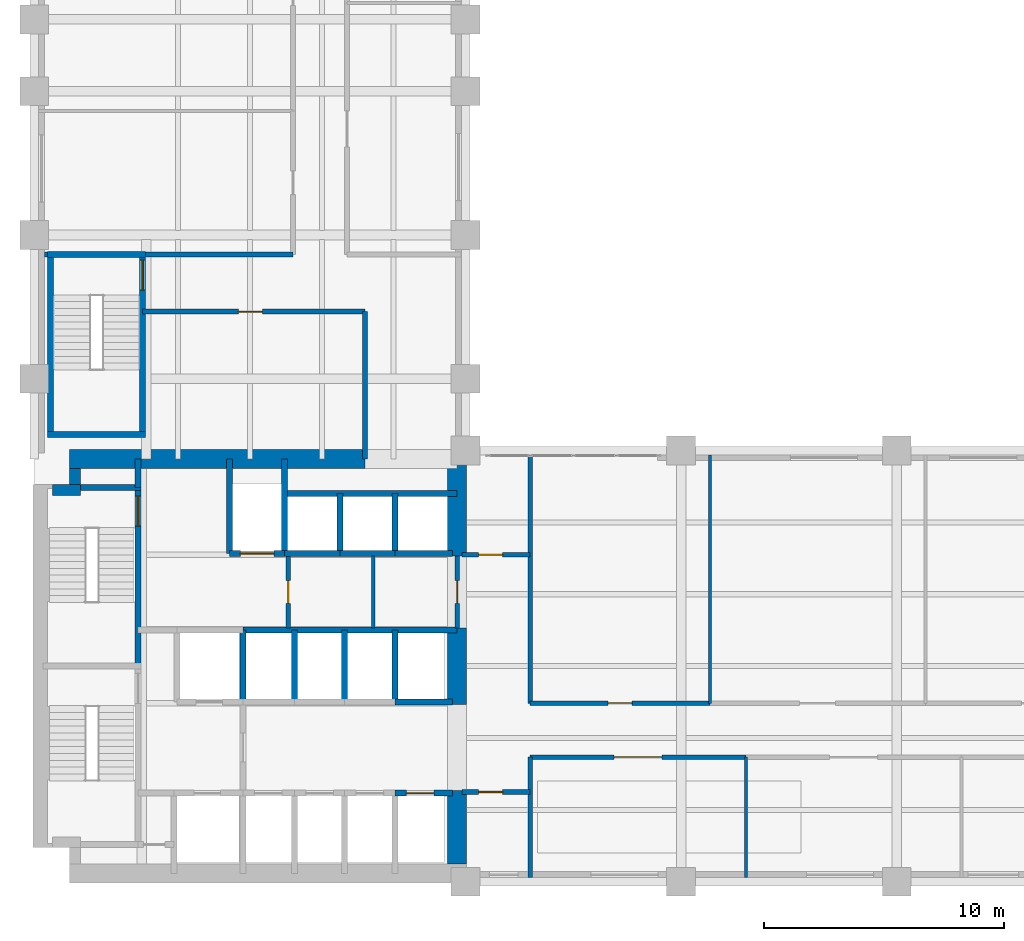
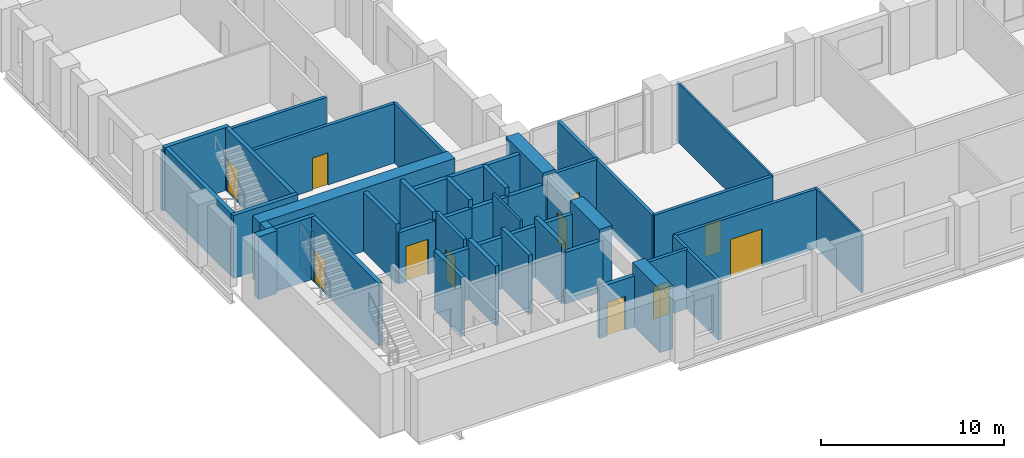
# One storey, part 5 of 8: 44 walls, 11 doors, 11 openings.
"""IFC4 building model written with IfcOpenShell, lengths in metres."""

from ifc_helpers import new_model, si_unit, direction, frame, frame_2d, origin, place, context, subcontext, project, spatial, rectangle, extrude, material, layer, layer_set, type_object, element, fill, save


model = new_model("IFC4")

# Units and contexts
model_context = context("Model", 3, precision=1e-05, world=origin(), true_north=direction((0.0, 1.0)))
body_context = subcontext(model_context, "Body", "Model", "MODEL_VIEW")
ifc_project = project(units=[si_unit("LENGTHUNIT", "METRE"), si_unit("AREAUNIT", "SQUARE_METRE"), si_unit("VOLUMEUNIT", "CUBIC_METRE"), si_unit("PLANEANGLEUNIT", "RADIAN"), si_unit("MASSUNIT", "GRAM", prefix="KILO")], contexts=[model_context])

# Site, building, storey
site_placement = place(None, origin())
site = spatial("IfcSite", under=ifc_project, at=site_placement, CompositionType="ELEMENT")
building_placement = place(site_placement, origin())
building = spatial("IfcBuilding", under=site, at=building_placement, Name="Mawjdan Bourse Tower", CompositionType="ELEMENT")
storey_placement = place(building_placement, frame((0.0, 0.0, 25.800048828125)))
storey = spatial("IfcBuildingStorey", under=building, at=storey_placement, Name="L05", CompositionType="ELEMENT", Elevation=25.800048828125)

# Wall, opening, door
ifc_material_1 = material(Name="Gypsum Fireboard Assembly")
ifc_layer_1 = layer(ifc_material_1, 0.199951171875)
ifc_layer_set_1 = layer_set([ifc_layer_1], Name="Gypsum Fireboard Assembly")
wall_type_1 = type_object("IfcWallType", Name="WL-CMP-200", PredefinedType="PARTITIONING", material=ifc_layer_set_1)
wall_1_placement = place(storey_placement, frame((16.60009765625, 13.60009765625, 0.0), z_axis=(0.0, 0.0, 1.0), x_axis=(0.0, 1.0, 0.0)))
wall_1 = element("IfcWall", 1, at=wall_1_placement, inside=storey, type_object=wall_type_1, Name="L05 Core Restroom West Wall", PredefinedType="PARTITIONING", context=body_context, shape_type="SweptSolid", body=[
    extrude(rectangle(XDim=3.0, YDim=0.199951171875, at=frame_2d((1.5, 0.0))), origin(), (0.0, 0.0, 1.0), 3.969970703125),
])
opening_1_placement = place(wall_1_placement, frame((1.02001953125, 0.0, 0.0)))
opening_1 = element("IfcOpeningElement", 2, at=opening_1_placement, cuts=wall_1, Name="Opening D-L05-14", PredefinedType="OPENING", context=body_context, shape_type="SweptSolid", body=[
    extrude(rectangle(XDim=0.949951171875, YDim=2.10009765625, at=frame_2d((0.47509765625, 1.050048828125))), frame((0.0, 0.10986328125, 0.0), z_axis=(0.0, -1.0, 0.0), x_axis=(1.0, 0.0, 0.0)), (0.0, 0.0, 1.0), 0.219970703125),
])
ifc_material_2 = material(Name="Moisture-Resistant Laminate Timber", Category="wood")
door_type_1 = type_object("IfcDoorType", Name="DR-WET-0950", OperationType="NOTDEFINED", PredefinedType="DOOR", material=ifc_material_2)
door_1_placement = place(opening_1_placement, origin())
door_1 = element("IfcDoor", 3, at=door_1_placement, inside=storey, type_object=door_type_1, Name="L05 Female Restroom Entry Door D-L05-14", OperationType="SINGLE_SWING_RIGHT", OverallHeight=2.10009765625, OverallWidth=0.949951171875, PredefinedType="DOOR", context=body_context, shape_type="SweptSolid", body=[
    extrude(rectangle(XDim=0.949951171875, YDim=2.10009765625, at=frame_2d((0.47509765625, 1.050048828125))), frame((0.0, 0.02490234375, 0.0), z_axis=(0.0, -1.0, 0.0), x_axis=(1.0, 0.0, 0.0)), (0.0, 0.0, 1.0), 0.050048828125),
])
fill(opening_1, door_1)

wall_2_placement = place(storey_placement, frame((23.64990234375, 13.60009765625, 0.0), z_axis=(0.0, 0.0, 1.0), x_axis=(0.0, 1.0, 0.0)))
wall_2 = element("IfcWall", 4, at=wall_2_placement, inside=storey, type_object=wall_type_1, Name="L05 Core Restroom East Enclosing Wall", PredefinedType="PARTITIONING", context=body_context, shape_type="SweptSolid", body=[
    extrude(rectangle(XDim=3.0, YDim=0.199951171875, at=frame_2d((1.5, 0.0))), origin(), (0.0, 0.0, 1.0), 3.969970703125),
])
opening_2_placement = place(wall_2_placement, frame((1.02001953125, 0.0, 0.0)))
opening_2 = element("IfcOpeningElement", 5, at=opening_2_placement, cuts=wall_2, Name="Opening D-L05-15", PredefinedType="OPENING", context=body_context, shape_type="SweptSolid", body=[
    extrude(rectangle(XDim=0.949951171875, YDim=2.10009765625, at=frame_2d((0.47509765625, 1.050048828125))), frame((0.0, 0.10986328125, 0.0), z_axis=(0.0, -1.0, 0.0), x_axis=(1.0, 0.0, 0.0)), (0.0, 0.0, 1.0), 0.219970703125),
])
door_2_placement = place(opening_2_placement, origin())
door_2 = element("IfcDoor", 6, at=door_2_placement, inside=storey, type_object=door_type_1, Name="L05 Accessible WC East Entry Door D-L05-15", OperationType="SINGLE_SWING_LEFT", OverallHeight=2.10009765625, OverallWidth=0.949951171875, PredefinedType="DOOR", context=body_context, shape_type="SweptSolid", body=[
    extrude(rectangle(XDim=0.949951171875, YDim=2.10009765625, at=frame_2d((0.47509765625, 1.050048828125))), frame((0.0, 0.02490234375, 0.0), z_axis=(0.0, -1.0, 0.0), x_axis=(1.0, 0.0, 0.0)), (0.0, 0.0, 1.0), 0.050048828125),
])
fill(opening_2, door_2)

wall_3_placement = place(storey_placement, frame((23.85009765625, 6.75, 0.0), z_axis=(0.0, 0.0, 1.0), x_axis=(1.0, 0.0, 0.0)))
wall_3 = element("IfcWall", 7, at=wall_3_placement, inside=storey, type_object=wall_type_1, Name="L05 West Pocket North Wall", PredefinedType="PARTITIONING", context=body_context, shape_type="SweptSolid", body=[
    extrude(rectangle(XDim=2.849853515625, YDim=0.199951171875, at=frame_2d((1.4248046875, 0.0))), origin(), (0.0, 0.0, 1.0), 3.969970703125),
])
opening_3_placement = place(wall_3_placement, frame((0.699951171875, 0.0, 0.0)))
opening_3 = element("IfcOpeningElement", 8, at=opening_3_placement, cuts=wall_3, Name="Opening D-L05-17", PredefinedType="OPENING", context=body_context, shape_type="SweptSolid", body=[
    extrude(rectangle(XDim=1.0, YDim=2.14990234375, at=frame_2d((0.5, 1.074951171875))), frame((0.0, 0.10986328125, 0.0), z_axis=(0.0, -1.0, 0.0), x_axis=(1.0, 0.0, 0.0)), (0.0, 0.0, 1.0), 0.219970703125),
])
ifc_material_3 = material(Name="Hardwood Acoustic Leaf", Category="wood")
door_type_2 = type_object("IfcDoorType", Name="DR-OFC-1000", OperationType="NOTDEFINED", PredefinedType="DOOR", material=ifc_material_3)
door_3_placement = place(opening_3_placement, origin())
door_3 = element("IfcDoor", 9, at=door_3_placement, inside=storey, type_object=door_type_2, Name="L05 West Pocket Office Door D-L05-17", OperationType="SINGLE_SWING_LEFT", OverallHeight=2.14990234375, OverallWidth=1.0, PredefinedType="DOOR", context=body_context, shape_type="SweptSolid", body=[
    extrude(rectangle(XDim=1.0, YDim=2.14990234375, at=frame_2d((0.5, 1.074951171875))), frame((0.0, 0.02490234375, 0.0), z_axis=(0.0, -1.0, 0.0), x_axis=(1.0, 0.0, 0.0)), (0.0, 0.0, 1.0), 0.050048828125),
])
fill(opening_3, door_3)

wall_4_placement = place(storey_placement, frame((23.85009765625, 16.64990234375, 0.0), z_axis=(0.0, 0.0, 1.0), x_axis=(1.0, 0.0, 0.0)))
wall_4 = element("IfcWall", 10, at=wall_4_placement, inside=storey, type_object=wall_type_1, Name="L05 West North Pocket Wall", PredefinedType="PARTITIONING", context=body_context, shape_type="SweptSolid", body=[
    extrude(rectangle(XDim=2.849853515625, YDim=0.199951171875, at=frame_2d((1.4248046875, 0.0))), origin(), (0.0, 0.0, 1.0), 3.969970703125),
])
opening_4_placement = place(wall_4_placement, frame((0.699951171875, 0.0, 0.0)))
opening_4 = element("IfcOpeningElement", 11, at=opening_4_placement, cuts=wall_4, Name="Opening D-L05-18", PredefinedType="OPENING", context=body_context, shape_type="SweptSolid", body=[
    extrude(rectangle(XDim=1.0, YDim=2.14990234375, at=frame_2d((0.5, 1.074951171875))), frame((0.0, 0.10986328125, 0.0), z_axis=(0.0, -1.0, 0.0), x_axis=(1.0, 0.0, 0.0)), (0.0, 0.0, 1.0), 0.219970703125),
])
door_4_placement = place(opening_4_placement, origin())
door_4 = element("IfcDoor", 12, at=door_4_placement, inside=storey, type_object=door_type_2, Name="L05 West North Pocket Door D-L05-18", OperationType="SINGLE_SWING_RIGHT", OverallHeight=2.14990234375, OverallWidth=1.0, PredefinedType="DOOR", context=body_context, shape_type="SweptSolid", body=[
    extrude(rectangle(XDim=1.0, YDim=2.14990234375, at=frame_2d((0.5, 1.074951171875))), frame((0.0, 0.02490234375, 0.0), z_axis=(0.0, -1.0, 0.0), x_axis=(1.0, 0.0, 0.0)), (0.0, 0.0, 1.0), 0.050048828125),
])
fill(opening_4, door_4)

# Walls
wall_5_placement = place(storey_placement, frame((26.699951171875, 3.179931640625, 0.0), z_axis=(0.0, 0.0, 1.0), x_axis=(0.0, 1.0, 0.0)))
element("IfcWall", 13, at=wall_5_placement, inside=storey, type_object=wall_type_1, Name="L05 Vestibule South East Wall", PredefinedType="PARTITIONING", context=body_context, shape_type="SweptSolid", body=[
    extrude(rectangle(XDim=5.02001953125, YDim=0.199951171875, at=frame_2d((2.510009765625, 0.0))), origin(), (0.0, 0.0, 1.0), 3.969970703125),
])
wall_6_placement = place(storey_placement, frame((26.699951171875, 10.449951171875, 0.0), z_axis=(0.0, 0.0, 1.0), x_axis=(0.0, 1.0, 0.0)))
element("IfcWall", 14, at=wall_6_placement, inside=storey, type_object=wall_type_1, Name="L05 Vestibule North East Wall", PredefinedType="PARTITIONING", context=body_context, shape_type="SweptSolid", body=[
    extrude(rectangle(XDim=10.3701171875, YDim=0.199951171875, at=frame_2d((5.18505859375, 0.0))), origin(), (0.0, 0.0, 1.0), 3.969970703125),
])

# Wall, opening, door
wall_7_placement = place(storey_placement, frame((26.699951171875, 8.199951171875, 0.0), z_axis=(0.0, 0.0, 1.0), x_axis=(1.0, 0.0, 0.0)))
wall_7 = element("IfcWall", 15, at=wall_7_placement, inside=storey, type_object=wall_type_1, Name="L05 Trading Floor Corridor Wall", PredefinedType="PARTITIONING", context=body_context, shape_type="SweptSolid", body=[
    extrude(rectangle(XDim=9.0, YDim=0.199951171875, at=frame_2d((4.5, 0.0))), origin(), (0.0, 0.0, 1.0), 3.969970703125),
])
opening_5_placement = place(wall_7_placement, frame((3.5, 0.0, 0.0)))
opening_5 = element("IfcOpeningElement", 16, at=opening_5_placement, cuts=wall_7, Name="Opening D-L05-19", PredefinedType="OPENING", context=body_context, shape_type="SweptSolid", body=[
    extrude(rectangle(XDim=2.0, YDim=2.5, at=frame_2d((1.0, 1.25))), frame((0.0, 0.10986328125, 0.0), z_axis=(0.0, -1.0, 0.0), x_axis=(1.0, 0.0, 0.0)), (0.0, 0.0, 1.0), 0.219970703125),
])
ifc_material_4 = material(Name="Acoustic Veneered Timber", Category="wood")
door_type_3 = type_object("IfcDoorType", Name="DR-ASM-2000", OperationType="DOUBLE_DOOR_SINGLE_SWING", PredefinedType="DOOR", material=ifc_material_4)
door_5_placement = place(opening_5_placement, origin())
door_5 = element("IfcDoor", 17, at=door_5_placement, inside=storey, type_object=door_type_3, Name="L05 Trading Floor Door D-L05-19", OperationType="DOUBLE_DOOR_SINGLE_SWING", OverallHeight=2.5, OverallWidth=2.0, PredefinedType="DOOR", context=body_context, shape_type="SweptSolid", body=[
    extrude(rectangle(XDim=2.0, YDim=2.5, at=frame_2d((1.0, 1.25))), frame((0.0, 0.02490234375, 0.0), z_axis=(0.0, -1.0, 0.0), x_axis=(1.0, 0.0, 0.0)), (0.0, 0.0, 1.0), 0.050048828125),
])
fill(opening_5, door_5)

wall_8_placement = place(storey_placement, frame((26.699951171875, 10.449951171875, 0.0), z_axis=(0.0, 0.0, 1.0), x_axis=(1.0, 0.0, 0.0)))
wall_8 = element("IfcWall", 18, at=wall_8_placement, inside=storey, type_object=wall_type_1, Name="L05 Executive Office Corridor Wall", PredefinedType="PARTITIONING", context=body_context, shape_type="SweptSolid", body=[
    extrude(rectangle(XDim=7.5, YDim=0.199951171875, at=frame_2d((3.75, 0.0))), origin(), (0.0, 0.0, 1.0), 3.969970703125),
])
opening_6_placement = place(wall_8_placement, frame((3.25, 0.0, 0.0)))
opening_6 = element("IfcOpeningElement", 19, at=opening_6_placement, cuts=wall_8, Name="Opening D-L05-22", PredefinedType="OPENING", context=body_context, shape_type="SweptSolid", body=[
    extrude(rectangle(XDim=1.0, YDim=2.14990234375, at=frame_2d((0.5, 1.074951171875))), frame((0.0, 0.10986328125, 0.0), z_axis=(0.0, -1.0, 0.0), x_axis=(1.0, 0.0, 0.0)), (0.0, 0.0, 1.0), 0.219970703125),
])
door_6_placement = place(opening_6_placement, origin())
door_6 = element("IfcDoor", 20, at=door_6_placement, inside=storey, type_object=door_type_2, Name="L05 Executive Office Door D-L05-22", OperationType="SINGLE_SWING_RIGHT", OverallHeight=2.14990234375, OverallWidth=1.0, PredefinedType="DOOR", context=body_context, shape_type="SweptSolid", body=[
    extrude(rectangle(XDim=1.0, YDim=2.14990234375, at=frame_2d((0.5, 1.074951171875))), frame((0.0, 0.02490234375, 0.0), z_axis=(0.0, -1.0, 0.0), x_axis=(1.0, 0.0, 0.0)), (0.0, 0.0, 1.0), 0.050048828125),
])
fill(opening_6, door_6)

wall_9_placement = place(storey_placement, frame((10.52001953125, 26.800048828125, 0.0), z_axis=(0.0, 0.0, 1.0), x_axis=(1.0, 0.0, 0.0)))
wall_9 = element("IfcWall", 21, at=wall_9_placement, inside=storey, type_object=wall_type_1, Name="L05 North Throat North Wall", PredefinedType="PARTITIONING", context=body_context, shape_type="SweptSolid", body=[
    extrude(rectangle(XDim=9.280029296875, YDim=0.199951171875, at=frame_2d((4.64013671875, 0.0))), origin(), (0.0, 0.0, 1.0), 3.969970703125),
])
opening_7_placement = place(wall_9_placement, frame((4.0, 0.0, 0.0)))
opening_7 = element("IfcOpeningElement", 22, at=opening_7_placement, cuts=wall_9, Name="Opening D-L05-27", PredefinedType="OPENING", context=body_context, shape_type="SweptSolid", body=[
    extrude(rectangle(XDim=1.0, YDim=2.14990234375, at=frame_2d((0.5, 1.074951171875))), frame((0.0, 0.10986328125, 0.0), z_axis=(0.0, -1.0, 0.0), x_axis=(1.0, 0.0, 0.0)), (0.0, 0.0, 1.0), 0.219970703125),
])
door_7_placement = place(opening_7_placement, origin())
door_7 = element("IfcDoor", 23, at=door_7_placement, inside=storey, type_object=door_type_2, Name="L05 North Throat Suite Door D-L05-27", OperationType="SINGLE_SWING_RIGHT", OverallHeight=2.14990234375, OverallWidth=1.0, PredefinedType="DOOR", context=body_context, shape_type="SweptSolid", body=[
    extrude(rectangle(XDim=1.0, YDim=2.14990234375, at=frame_2d((0.5, 1.074951171875))), frame((0.0, 0.02490234375, 0.0), z_axis=(0.0, -1.0, 0.0), x_axis=(1.0, 0.0, 0.0)), (0.0, 0.0, 1.0), 0.050048828125),
])
fill(opening_7, door_7)

# Walls
wall_10_placement = place(storey_placement, frame((19.800048828125, 20.64990234375, 0.0), z_axis=(0.0, 0.0, 1.0), x_axis=(0.0, 1.0, 0.0)))
element("IfcWall", 24, at=wall_10_placement, inside=storey, type_object=wall_type_1, Name="L05 North Throat East Wall", PredefinedType="PARTITIONING", context=body_context, shape_type="SweptSolid", body=[
    extrude(rectangle(XDim=6.150146484375, YDim=0.199951171875, at=frame_2d((3.0751953125, 0.0))), origin(), (0.0, 0.0, 1.0), 3.969970703125),
])
wall_11_placement = place(storey_placement, frame((6.419921875, 29.179931640625, 0.0), z_axis=(0.0, 0.0, 1.0), x_axis=(1.0, 0.0, 0.0)))
element("IfcWall", 25, at=wall_11_placement, inside=storey, type_object=wall_type_1, Name="L05 North West Band ST3 West Return", PredefinedType="PARTITIONING", context=body_context, shape_type="SweptSolid", body=[
    extrude(rectangle(XDim=0.135009765625, YDim=0.199951171875, at=frame_2d((0.0673828125, 0.0))), origin(), (0.0, 0.0, 1.0), 3.969970703125),
])
wall_12_placement = place(storey_placement, frame((10.6298828125, 29.179931640625, 0.0), z_axis=(0.0, 0.0, 1.0), x_axis=(1.0, 0.0, 0.0)))
element("IfcWall", 26, at=wall_12_placement, inside=storey, type_object=wall_type_1, Name="L05 North West Band South Wall", PredefinedType="PARTITIONING", context=body_context, shape_type="SweptSolid", body=[
    extrude(rectangle(XDim=6.170166015625, YDim=0.199951171875, at=frame_2d((3.0849609375, 0.0))), origin(), (0.0, 0.0, 1.0), 3.969970703125),
])
ifc_material_5 = material(Name="Concrete C60/75", Category="concrete")
ifc_layer_2 = layer(ifc_material_5, 0.449951171875)
ifc_layer_set_2 = layer_set([ifc_layer_2], Name="Concrete C60/75")
wall_type_2 = type_object("IfcWallType", Name="WL-CORE-450", PredefinedType="SHEAR", material=ifc_layer_set_2)
wall_13_placement = place(storey_placement, frame((6.75, 19.35009765625, 0.0), z_axis=(0.0, 0.0, 1.0), x_axis=(1.0, 0.0, 0.0)))
element("IfcWall", 27, at=wall_13_placement, inside=storey, type_object=wall_type_2, Name="L05 Rear Core Shear Wall NW-X", PredefinedType="SHEAR", context=body_context, shape_type="SweptSolid", body=[
    extrude(rectangle(XDim=1.175048828125, YDim=0.449951171875, at=frame_2d((0.58740234375, 0.0))), origin(), (0.0, 0.0, 1.0), 4.199951171875),
])
wall_14_placement = place(storey_placement, frame((7.699951171875, 19.574951171875, 0.0), z_axis=(0.0, 0.0, 1.0), x_axis=(0.0, 1.0, 0.0)))
element("IfcWall", 28, at=wall_14_placement, inside=storey, type_object=wall_type_2, Name="L05 Rear Core Shear Wall NW-Y", PredefinedType="SHEAR", context=body_context, shape_type="SweptSolid", body=[
    extrude(rectangle(XDim=0.675048828125, YDim=0.449951171875, at=frame_2d((0.33740234375, 0.0))), origin(), (0.0, 0.0, 1.0), 4.199951171875),
])
ifc_material_6 = material(Name="Concrete C80/95", Category="concrete")
ifc_layer_3 = layer(ifc_material_6, 0.800048828125)
ifc_layer_set_3 = layer_set([ifc_layer_3], Name="Concrete C80/95")
wall_type_3 = type_object("IfcWallType", Name="WL-CORE-800", PredefinedType="SHEAR", material=ifc_layer_set_3)
wall_15_placement = place(storey_placement, frame((7.47509765625, 20.64990234375, 0.0), z_axis=(0.0, 0.0, 1.0), x_axis=(1.0, 0.0, 0.0)))
element("IfcWall", 29, at=wall_15_placement, inside=storey, type_object=wall_type_3, Name="L05 Rear Core Shear Wall N", PredefinedType="SHEAR", context=body_context, shape_type="SweptSolid", body=[
    extrude(rectangle(XDim=12.324951171875, YDim=0.800048828125, at=frame_2d((6.16259765625, 0.0))), origin(), (0.0, 0.0, 1.0), 4.199951171875),
])
wall_16_placement = place(storey_placement, frame((23.64990234375, 3.75, 0.0), z_axis=(0.0, 0.0, 1.0), x_axis=(0.0, 1.0, 0.0)))
element("IfcWall", 30, at=wall_16_placement, inside=storey, type_object=wall_type_3, Name="L05 Rear Core Shear Wall E1", PredefinedType="SHEAR", context=body_context, shape_type="SweptSolid", body=[
    extrude(rectangle(XDim=3.050048828125, YDim=0.800048828125, at=frame_2d((1.52490234375, 0.0))), origin(), (0.0, 0.0, 1.0), 4.199951171875),
])
wall_17_placement = place(storey_placement, frame((23.64990234375, 10.39990234375, 0.0), z_axis=(0.0, 0.0, 1.0), x_axis=(0.0, 1.0, 0.0)))
element("IfcWall", 31, at=wall_17_placement, inside=storey, type_object=wall_type_3, Name="L05 Rear Core Shear Wall E2", PredefinedType="SHEAR", context=body_context, shape_type="SweptSolid", body=[
    extrude(rectangle(XDim=3.2001953125, YDim=0.800048828125, at=frame_2d((1.60009765625, 0.0))), origin(), (0.0, 0.0, 1.0), 4.199951171875),
])
wall_18_placement = place(storey_placement, frame((23.64990234375, 16.60009765625, 0.0), z_axis=(0.0, 0.0, 1.0), x_axis=(0.0, 1.0, 0.0)))
element("IfcWall", 32, at=wall_18_placement, inside=storey, type_object=wall_type_3, Name="L05 Rear Core Shear Wall E3", PredefinedType="SHEAR", context=body_context, shape_type="SweptSolid", body=[
    extrude(rectangle(XDim=4.0498046875, YDim=0.800048828125, at=frame_2d((2.02490234375, 0.0))), origin(), (0.0, 0.0, 1.0), 4.199951171875),
])
ifc_material_7 = material(Name="Gypsum Partition")
ifc_layer_4 = layer(ifc_material_7, 0.125)
ifc_layer_set_4 = layer_set([ifc_layer_4], Name="Gypsum Partition")
wall_type_4 = type_object("IfcWallType", Name="WL-PRT-125", PredefinedType="PARTITIONING", material=ifc_layer_set_4)
wall_19_placement = place(storey_placement, frame((35.699951171875, 3.179931640625, 0.0), z_axis=(0.0, 0.0, 1.0), x_axis=(0.0, 1.0, 0.0)))
element("IfcWall", 33, at=wall_19_placement, inside=storey, type_object=wall_type_4, Name="L05 Derivatives Dealing Hall Partition", PredefinedType="PARTITIONING", context=body_context, shape_type="SweptSolid", body=[
    extrude(rectangle(XDim=5.02001953125, YDim=0.125, at=frame_2d((2.510009765625, 0.0))), origin(), (0.0, 0.0, 1.0), 3.969970703125),
])
wall_20_placement = place(storey_placement, frame((34.199951171875, 10.449951171875, 0.0), z_axis=(0.0, 0.0, 1.0), x_axis=(0.0, 1.0, 0.0)))
element("IfcWall", 34, at=wall_20_placement, inside=storey, type_object=wall_type_4, Name="L05 Conference Room Partition", PredefinedType="PARTITIONING", context=body_context, shape_type="SweptSolid", body=[
    extrude(rectangle(XDim=10.3701171875, YDim=0.125, at=frame_2d((5.18505859375, 0.0))), origin(), (0.0, 0.0, 1.0), 3.969970703125),
])
ifc_material_8 = material(Name="Gypsum Acoustic Partition")
ifc_layer_5 = layer(ifc_material_8, 0.14990234375)
ifc_layer_set_5 = layer_set([ifc_layer_5], Name="Gypsum Acoustic Partition")
wall_type_5 = type_object("IfcWallType", Name="WL-PRT-150", PredefinedType="PARTITIONING", material=ifc_layer_set_5)
wall_21_placement = place(storey_placement, frame((20.14990234375, 13.60009765625, 0.0), z_axis=(0.0, 0.0, 1.0), x_axis=(0.0, 1.0, 0.0)))
element("IfcWall", 35, at=wall_21_placement, inside=storey, type_object=wall_type_5, Name="L05 Core Restroom Vertical Split", PredefinedType="PARTITIONING", context=body_context, shape_type="SweptSolid", body=[
    extrude(rectangle(XDim=3.0, YDim=0.14990234375, at=frame_2d((1.5, 0.0))), origin(), (0.0, 0.0, 1.0), 3.969970703125),
])
ifc_material_9 = material(Name="Concrete C50/60", Category="concrete")
ifc_layer_6 = layer(ifc_material_9, 0.25)
ifc_layer_set_6 = layer_set([ifc_layer_6], Name="Concrete C50/60")
wall_type_6 = type_object("IfcWallType", Name="WL-SHFT-250", PredefinedType="PARTITIONING", material=ifc_layer_set_6)
wall_22_placement = place(storey_placement, frame((10.330078125, 19.449951171875, 0.0), z_axis=(0.0, 0.0, 1.0), x_axis=(0.0, 1.0, 0.0)))
element("IfcWall", 36, at=wall_22_placement, inside=storey, type_object=wall_type_6, Name="L05 NW Riser East Wall", PredefinedType="PARTITIONING", context=body_context, shape_type="SweptSolid", body=[
    extrude(rectangle(XDim=1.199951171875, YDim=0.25, at=frame_2d((0.60009765625, 0.0))), origin(), (0.0, 0.0, 1.0), 3.114013671875),
])
wall_23_placement = place(storey_placement, frame((14.699951171875, 10.5, 0.0), z_axis=(0.0, 0.0, 1.0), x_axis=(0.0, 1.0, 0.0)))
element("IfcWall", 37, at=wall_23_placement, inside=storey, type_object=wall_type_6, Name="L05 FFL-02 East Shaft Wall", PredefinedType="PARTITIONING", context=body_context, shape_type="SweptSolid", body=[
    extrude(rectangle(XDim=3.0, YDim=0.25, at=frame_2d((1.5, 0.0))), origin(), (0.0, 0.0, 1.0), 3.969970703125),
])

# Wall, opening, door
wall_24_placement = place(storey_placement, frame((14.14990234375, 16.699951171875, 0.0), z_axis=(0.0, 0.0, 1.0), x_axis=(1.0, 0.0, 0.0)))
wall_24 = element("IfcWall", 38, at=wall_24_placement, inside=storey, type_object=wall_type_6, Name="L05 SVL-01 Front Shaft Wall", PredefinedType="PARTITIONING", context=body_context, shape_type="SweptSolid", body=[
    extrude(rectangle(XDim=2.300048828125, YDim=0.25, at=frame_2d((1.14990234375, 0.0))), origin(), (0.0, 0.0, 1.0), 3.426025390625),
])
opening_8_placement = place(wall_24_placement, frame((0.449951171875, 0.0, 0.0)))
opening_8 = element("IfcOpeningElement", 39, at=opening_8_placement, cuts=wall_24, Name="Opening LD-L05-09", PredefinedType="OPENING", context=body_context, shape_type="SweptSolid", body=[
    extrude(rectangle(XDim=1.39990234375, YDim=2.35009765625, at=frame_2d((0.699951171875, 1.175048828125))), frame((0.0, 0.135009765625, 0.0), z_axis=(0.0, -1.0, 0.0), x_axis=(1.0, 0.0, 0.0)), (0.0, 0.0, 1.0), 0.27001953125),
])
ifc_material_10 = material(Name="Heavy-Duty Stainless Steel", Category="steel")
door_type_4 = type_object("IfcDoorType", Name="LD-SRV-1400", OperationType="DOUBLE_DOOR_SLIDING", PredefinedType="DOOR", material=ifc_material_10)
door_8_placement = place(opening_8_placement, origin())
door_8 = element("IfcDoor", 40, at=door_8_placement, inside=storey, type_object=door_type_4, Name="L05 Service Lift SVL-01 Landing Door LD-L05-09", OperationType="DOUBLE_DOOR_SLIDING", OverallHeight=2.35009765625, OverallWidth=1.39990234375, PredefinedType="DOOR", context=body_context, shape_type="SweptSolid", body=[
    extrude(rectangle(XDim=1.39990234375, YDim=2.35009765625, at=frame_2d((0.699951171875, 1.175048828125))), frame((0.0, 0.02490234375, 0.0), z_axis=(0.0, -1.0, 0.0), x_axis=(1.0, 0.0, 0.0)), (0.0, 0.0, 1.0), 0.050048828125),
])
fill(opening_8, door_8)

# Walls
for number, where, z_axis, x_axis, name in (
    (41, (14.14990234375, 16.699951171875, 0.0), (0.0, 0.0, 1.0), (0.0, 1.0, 0.0), "L05 SVL-01 West Shaft Wall"),
    (42, (16.449951171875, 16.699951171875, 0.0), (0.0, 0.0, 1.0), (0.0, 1.0, 0.0), "L05 SVL-01 East Shaft Wall"),
):
    element("IfcWall", number, at=place(storey_placement, frame(where, z_axis=z_axis, x_axis=x_axis)), inside=storey, type_object=wall_type_6, Name=name, PredefinedType="PARTITIONING", context=body_context, shape_type="SweptSolid", body=[
        extrude(rectangle(XDim=3.949951171875, YDim=0.25, at=frame_2d((1.97509765625, 0.0))), origin(), (0.0, 0.0, 1.0), 3.969970703125),
    ])
wall_25_placement = place(storey_placement, frame((16.449951171875, 16.699951171875, 0.0), z_axis=(0.0, 0.0, 1.0), x_axis=(1.0, 0.0, 0.0)))
element("IfcWall", 43, at=wall_25_placement, inside=storey, type_object=wall_type_6, Name="L05 PH-01 Front Wall", PredefinedType="PARTITIONING", context=body_context, shape_type="SweptSolid", body=[
    extrude(rectangle(XDim=2.300048828125, YDim=0.25, at=frame_2d((1.14990234375, 0.0))), origin(), (0.0, 0.0, 1.0), 3.426025390625),
])
wall_26_placement = place(storey_placement, frame((18.75, 16.699951171875, 0.0), z_axis=(0.0, 0.0, 1.0), x_axis=(0.0, 1.0, 0.0)))
element("IfcWall", 44, at=wall_26_placement, inside=storey, type_object=wall_type_6, Name="L05 PH-01 Divider Wall", PredefinedType="PARTITIONING", context=body_context, shape_type="SweptSolid", body=[
    extrude(rectangle(XDim=2.5, YDim=0.25, at=frame_2d((1.25, 0.0))), origin(), (0.0, 0.0, 1.0), 3.969970703125),
])
wall_27_placement = place(storey_placement, frame((18.75, 16.699951171875, 0.0), z_axis=(0.0, 0.0, 1.0), x_axis=(1.0, 0.0, 0.0)))
element("IfcWall", 45, at=wall_27_placement, inside=storey, type_object=wall_type_6, Name="L05 PH-02 Front Wall", PredefinedType="PARTITIONING", context=body_context, shape_type="SweptSolid", body=[
    extrude(rectangle(XDim=2.300048828125, YDim=0.25, at=frame_2d((1.14990234375, 0.0))), origin(), (0.0, 0.0, 1.0), 3.426025390625),
])
wall_28_placement = place(storey_placement, frame((21.050048828125, 16.699951171875, 0.0), z_axis=(0.0, 0.0, 1.0), x_axis=(0.0, 1.0, 0.0)))
element("IfcWall", 46, at=wall_28_placement, inside=storey, type_object=wall_type_6, Name="L05 PH-02 Divider Wall", PredefinedType="PARTITIONING", context=body_context, shape_type="SweptSolid", body=[
    extrude(rectangle(XDim=2.5, YDim=0.25, at=frame_2d((1.25, 0.0))), origin(), (0.0, 0.0, 1.0), 3.969970703125),
])
wall_29_placement = place(storey_placement, frame((21.050048828125, 16.699951171875, 0.0), z_axis=(0.0, 0.0, 1.0), x_axis=(1.0, 0.0, 0.0)))
element("IfcWall", 47, at=wall_29_placement, inside=storey, type_object=wall_type_6, Name="L05 PH-03 Front Wall", PredefinedType="PARTITIONING", context=body_context, shape_type="SweptSolid", body=[
    extrude(rectangle(XDim=2.39990234375, YDim=0.25, at=frame_2d((1.199951171875, 0.0))), origin(), (0.0, 0.0, 1.0), 3.426025390625),
])
wall_30_placement = place(storey_placement, frame((16.449951171875, 19.199951171875, 0.0), z_axis=(0.0, 0.0, 1.0), x_axis=(1.0, 0.0, 0.0)))
element("IfcWall", 48, at=wall_30_placement, inside=storey, type_object=wall_type_6, Name="L05 PH Bank North Shaft Back Wall", PredefinedType="PARTITIONING", context=body_context, shape_type="SweptSolid", body=[
    extrude(rectangle(XDim=7.199951171875, YDim=0.25, at=frame_2d((3.60009765625, 0.0))), origin(), (0.0, 0.0, 1.0), 3.969970703125),
])

# Wall, opening, door
wall_31_placement = place(storey_placement, frame((21.050048828125, 6.699951171875, 0.0), z_axis=(0.0, 0.0, 1.0), x_axis=(1.0, 0.0, 0.0)))
wall_31 = element("IfcWall", 49, at=wall_31_placement, inside=storey, type_object=wall_type_6, Name="L05 PL-03 Front Wall", PredefinedType="PARTITIONING", context=body_context, shape_type="SweptSolid", body=[
    extrude(rectangle(XDim=2.39990234375, YDim=0.25, at=frame_2d((1.199951171875, 0.0))), origin(), (0.0, 0.0, 1.0), 3.426025390625),
])
opening_9_placement = place(wall_31_placement, frame((0.47998046875, 0.0, 0.0)))
opening_9 = element("IfcOpeningElement", 50, at=opening_9_placement, cuts=wall_31, Name="Opening LD-L05-13", PredefinedType="OPENING", context=body_context, shape_type="SweptSolid", body=[
    extrude(rectangle(XDim=1.14990234375, YDim=2.25, at=frame_2d((0.574951171875, 1.125))), frame((0.0, 0.135009765625, 0.0), z_axis=(0.0, -1.0, 0.0), x_axis=(1.0, 0.0, 0.0)), (0.0, 0.0, 1.0), 0.27001953125),
])
ifc_material_11 = material(Name="Brushed Stainless Steel", Category="steel")
door_type_5 = type_object("IfcDoorType", Name="LD-PAS-1150", OperationType="DOUBLE_DOOR_SLIDING", PredefinedType="DOOR", material=ifc_material_11)
door_9_placement = place(opening_9_placement, origin())
door_9 = element("IfcDoor", 51, at=door_9_placement, inside=storey, type_object=door_type_5, Name="L05 Lift PL-03 Landing Door LD-L05-13", OperationType="DOUBLE_DOOR_SLIDING", OverallHeight=2.25, OverallWidth=1.14990234375, PredefinedType="DOOR", context=body_context, shape_type="SweptSolid", body=[
    extrude(rectangle(XDim=1.14990234375, YDim=2.25, at=frame_2d((0.574951171875, 1.125))), frame((0.0, 0.02490234375, 0.0), z_axis=(0.0, -1.0, 0.0), x_axis=(1.0, 0.0, 0.0)), (0.0, 0.0, 1.0), 0.050048828125),
])
fill(opening_9, door_9)

# Walls
for number, where, z_axis, x_axis, name in (
    (52, (16.85009765625, 10.5, 0.0), (0.0, 0.0, 1.0), (0.0, 1.0, 0.0), "L05 PM-01 Divider Wall"),
    (53, (18.949951171875, 10.5, 0.0), (0.0, 0.0, 1.0), (0.0, 1.0, 0.0), "L05 PM-02 Divider Wall"),
    (54, (21.050048828125, 10.5, 0.0), (0.0, 0.0, 1.0), (0.0, 1.0, 0.0), "L05 PM-03 Divider Wall"),
):
    element("IfcWall", number, at=place(storey_placement, frame(where, z_axis=z_axis, x_axis=x_axis)), inside=storey, type_object=wall_type_6, Name=name, PredefinedType="PARTITIONING", context=body_context, shape_type="SweptSolid", body=[
        extrude(rectangle(XDim=3.0, YDim=0.25, at=frame_2d((1.5, 0.0))), origin(), (0.0, 0.0, 1.0), 3.969970703125),
    ])
wall_32_placement = place(storey_placement, frame((21.050048828125, 10.5, 0.0), z_axis=(0.0, 0.0, 1.0), x_axis=(1.0, 0.0, 0.0)))
element("IfcWall", 55, at=wall_32_placement, inside=storey, type_object=wall_type_6, Name="L05 PM-04 Front Wall", PredefinedType="PARTITIONING", context=body_context, shape_type="SweptSolid", body=[
    extrude(rectangle(XDim=2.39990234375, YDim=0.25, at=frame_2d((1.199951171875, 0.0))), origin(), (0.0, 0.0, 1.0), 3.426025390625),
])
wall_33_placement = place(storey_placement, frame((14.699951171875, 13.5, 0.0), z_axis=(0.0, 0.0, 1.0), x_axis=(1.0, 0.0, 0.0)))
element("IfcWall", 56, at=wall_33_placement, inside=storey, type_object=wall_type_6, Name="L05 PM Bank North Shaft Back Wall", PredefinedType="PARTITIONING", context=body_context, shape_type="SweptSolid", body=[
    extrude(rectangle(XDim=8.949951171875, YDim=0.25, at=frame_2d((4.47509765625, 0.0))), origin(), (0.0, 0.0, 1.0), 3.426025390625),
])
ifc_layer_7 = layer(ifc_material_9, 0.25)
ifc_layer_set_7 = layer_set([ifc_layer_7], Name="Concrete C50/60")
wall_type_7 = type_object("IfcWallType", Name="WL-STRW-250", PredefinedType="SHEAR", material=ifc_layer_set_7)
wall_34_placement = place(storey_placement, frame((7.699951171875, 19.449951171875, 0.0), z_axis=(0.0, 0.0, 1.0), x_axis=(1.0, 0.0, 0.0)))
element("IfcWall", 57, at=wall_34_placement, inside=storey, type_object=wall_type_7, Name="L05 Stairwell ST2 North Shaft Wall", PredefinedType="SHEAR", context=body_context, shape_type="SweptSolid", body=[
    extrude(rectangle(XDim=2.755126953125, YDim=0.25, at=frame_2d((1.37744140625, 0.0))), origin(), (0.0, 0.0, 1.0), 4.199951171875),
])

# Wall, opening, door
wall_35_placement = place(storey_placement, frame((10.330078125, 12.0, 0.0), z_axis=(0.0, 0.0, 1.0), x_axis=(0.0, 1.0, 0.0)))
wall_35 = element("IfcWall", 58, at=wall_35_placement, inside=storey, type_object=wall_type_7, Name="L05 Stairwell ST2 East Enclosure Wall", PredefinedType="SHEAR", context=body_context, shape_type="SweptSolid", body=[
    extrude(rectangle(XDim=7.449951171875, YDim=0.25, at=frame_2d((3.72509765625, 0.0))), origin(), (0.0, 0.0, 1.0), 4.199951171875),
])
opening_10_placement = place(wall_35_placement, frame((5.85009765625, 0.0, 0.0)))
opening_10 = element("IfcOpeningElement", 59, at=opening_10_placement, cuts=wall_35, Name="Opening SD-L05-02", PredefinedType="OPENING", context=body_context, shape_type="SweptSolid", body=[
    extrude(rectangle(XDim=1.25, YDim=2.199951171875, at=frame_2d((0.625, 1.10009765625))), frame((0.0, 0.135009765625, 0.0), z_axis=(0.0, -1.0, 0.0), x_axis=(1.0, 0.0, 0.0)), (0.0, 0.0, 1.0), 0.27001953125),
])
ifc_material_12 = material(Name="Fire-Rated Steel Leaf", Category="steel")
door_type_6 = type_object("IfcDoorType", Name="FD-ST-1250", OperationType="NOTDEFINED", PredefinedType="DOOR", material=ifc_material_12)
door_10_placement = place(opening_10_placement, origin())
door_10 = element("IfcDoor", 60, at=door_10_placement, inside=storey, type_object=door_type_6, Name="L05 Exit Stair ST2 Fire Door SD-L05-02", OperationType="SINGLE_SWING_LEFT", OverallHeight=2.199951171875, OverallWidth=1.25, PredefinedType="DOOR", context=body_context, shape_type="SweptSolid", body=[
    extrude(rectangle(XDim=1.25, YDim=2.199951171875, at=frame_2d((0.625, 1.10009765625))), frame((0.0, 0.02490234375, 0.0), z_axis=(0.0, -1.0, 0.0), x_axis=(1.0, 0.0, 0.0)), (0.0, 0.0, 1.0), 0.050048828125),
])
fill(opening_10, door_10)

# Walls
for number, where, z_axis, x_axis, name in (
    (61, (6.554931640625, 21.679931640625, 0.0), (0.0, 0.0, 1.0), (1.0, 0.0, 0.0), "L05 ST3 South Shaft Wall"),
    (62, (6.554931640625, 29.179931640625, 0.0), (0.0, 0.0, 1.0), (1.0, 0.0, 0.0), "L05 ST3 North Shaft Wall"),
):
    element("IfcWall", number, at=place(storey_placement, frame(where, z_axis=z_axis, x_axis=x_axis)), inside=storey, type_object=wall_type_7, Name=name, PredefinedType="SHEAR", context=body_context, shape_type="SweptSolid", body=[
        extrude(rectangle(XDim=4.090087890625, YDim=0.25, at=frame_2d((2.044921875, 0.0))), origin(), (0.0, 0.0, 1.0), 4.199951171875),
    ])
wall_36_placement = place(storey_placement, frame((6.679931640625, 21.679931640625, 0.0), z_axis=(0.0, 0.0, 1.0), x_axis=(0.0, 1.0, 0.0)))
element("IfcWall", 63, at=wall_36_placement, inside=storey, type_object=wall_type_7, Name="L05 ST3 West Shaft Wall", PredefinedType="SHEAR", context=body_context, shape_type="SweptSolid", body=[
    extrude(rectangle(XDim=7.5, YDim=0.25, at=frame_2d((3.75, 0.0))), origin(), (0.0, 0.0, 1.0), 4.199951171875),
])

# Wall, opening, door
wall_37_placement = place(storey_placement, frame((10.52001953125, 21.679931640625, 0.0), z_axis=(0.0, 0.0, 1.0), x_axis=(0.0, 1.0, 0.0)))
wall_37 = element("IfcWall", 64, at=wall_37_placement, inside=storey, type_object=wall_type_7, Name="L05 ST3 East Shaft Wall", PredefinedType="SHEAR", context=body_context, shape_type="SweptSolid", body=[
    extrude(rectangle(XDim=7.5, YDim=0.25, at=frame_2d((3.75, 0.0))), origin(), (0.0, 0.0, 1.0), 4.199951171875),
])
opening_11_placement = place(wall_37_placement, frame((6.02001953125, 0.0, 0.0)))
opening_11 = element("IfcOpeningElement", 65, at=opening_11_placement, cuts=wall_37, Name="Opening SD-L05-16", PredefinedType="OPENING", context=body_context, shape_type="SweptSolid", body=[
    extrude(rectangle(XDim=1.25, YDim=2.199951171875, at=frame_2d((0.625, 1.10009765625))), frame((0.0, 0.135009765625, 0.0), z_axis=(0.0, -1.0, 0.0), x_axis=(1.0, 0.0, 0.0)), (0.0, 0.0, 1.0), 0.27001953125),
])
door_11_placement = place(opening_11_placement, origin())
door_11 = element("IfcDoor", 66, at=door_11_placement, inside=storey, type_object=door_type_6, Name="L05 Stair ST3 Fire Door SD-L05-16", OperationType="SINGLE_SWING_RIGHT", OverallHeight=2.199951171875, OverallWidth=1.25, PredefinedType="DOOR", context=body_context, shape_type="SweptSolid", body=[
    extrude(rectangle(XDim=1.25, YDim=2.199951171875, at=frame_2d((0.625, 1.10009765625))), frame((0.0, 0.02490234375, 0.0), z_axis=(0.0, -1.0, 0.0), x_axis=(1.0, 0.0, 0.0)), (0.0, 0.0, 1.0), 0.050048828125),
])
fill(opening_11, door_11)

save(model, "model.ifc")
